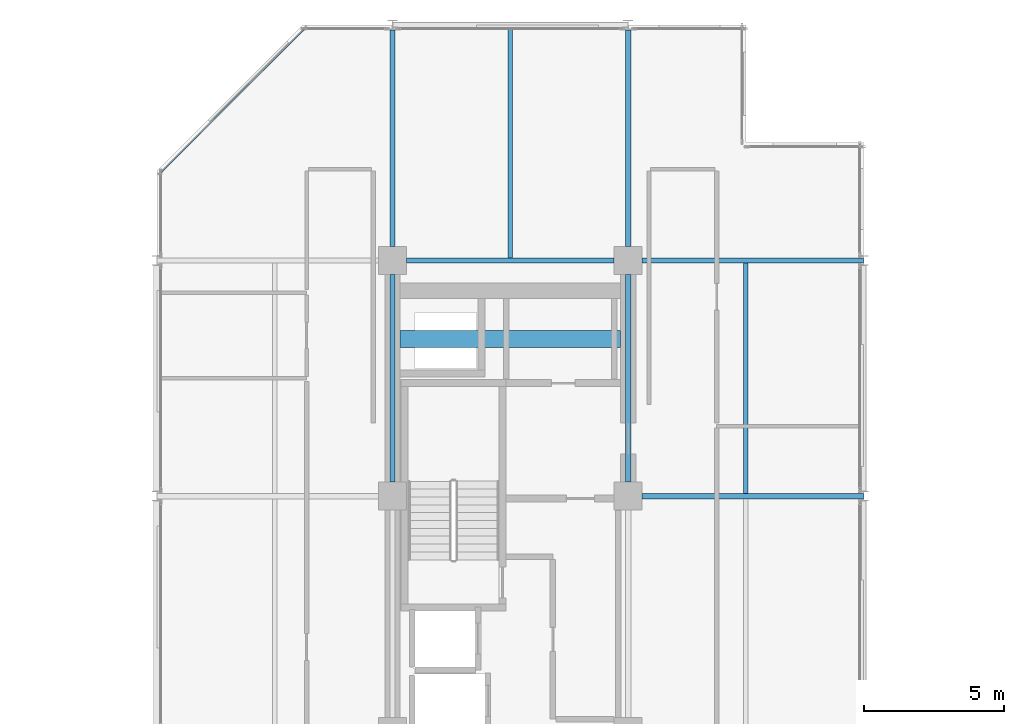
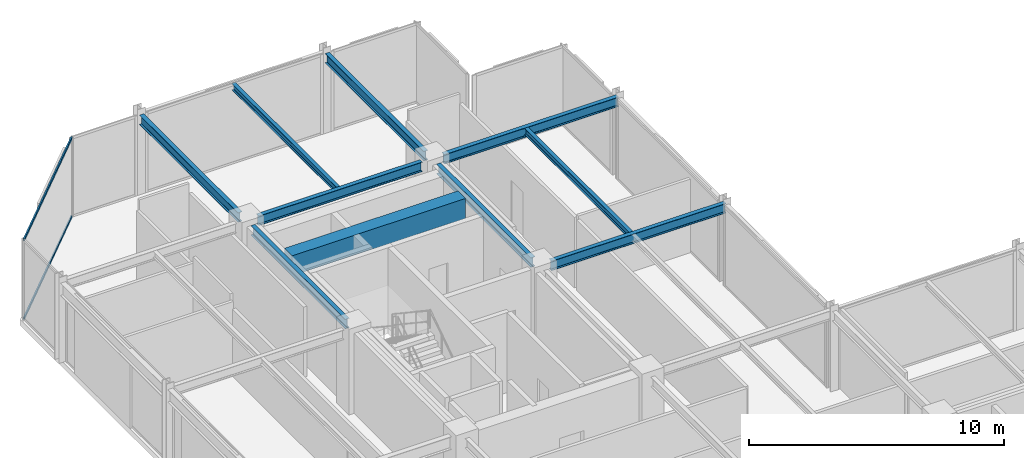
# One storey, part 18 of 29: 10 beams, 2 members, 1 element without a shape of its own.
"""IFC4 building model written with IfcOpenShell, lengths in metres."""

import ifcopenshell
import ifcopenshell.guid

model = None  # the IFC model being written
_history = None  # IfcOwnerHistory: only IFC2X3 demands one
_inside = {}  # id of a spatial element -> (the spatial element, [elements in it])
_under = {}  # id of a project, library or spatial element -> (it, [spatial elements below it])
_declared = {}  # id of a project -> (the project, [libraries it declares])
_typed = {}  # id of a type object -> (the type object, [elements of that type])
_made_of = {}  # id of a material, layer set ... -> (it, [elements and type objects made of it])


def new_model(schema):
    """Start an empty IFC model of exactly this schema.

    Asked for "IFC4X3", IfcOpenShell would pick the latest addendum, in which some entities
    have other attributes; the version numbers below select the first issue.
    IFC2X3 requires an IfcOwnerHistory on every rooted entity: one is made here for all.
    """
    global model, _history
    if schema == "IFC4X3":
        model = ifcopenshell.file(schema_version=(4, 3, 0, 0))
    else:
        model = ifcopenshell.file(schema=schema)
    _inside.clear()
    _under.clear()
    _declared.clear()
    _typed.clear()
    _made_of.clear()
    _history = None
    if model.schema == "IFC2X3":
        org = make("IfcOrganization", Name="unknown")
        user = make(
            "IfcPersonAndOrganization",
            ThePerson=make("IfcPerson", FamilyName="unknown"),
            TheOrganization=org,
        )
        app = make(
            "IfcApplication",
            ApplicationDeveloper=org,
            Version="unknown",
            ApplicationFullName="unknown",
            ApplicationIdentifier="unknown",
        )
        _history = make(
            "IfcOwnerHistory",
            OwningUser=user,
            OwningApplication=app,
            ChangeAction="ADDED",
            CreationDate=0,
        )
    return model


def make(cls, **values):
    """One entity of the class cls with the attributes given. An attribute that is None is left unset."""
    return model.create_entity(
        cls, **{name: value for name, value in values.items() if value is not None}
    )


def rooted(cls, **values):
    """An entity with a GlobalId (a new one), such as an element, a storey or a relation."""
    return make(cls, GlobalId=ifcopenshell.guid.new(), OwnerHistory=_history, **values)


def si_unit(unit_type, name, prefix=None):
    """IfcSIUnit, for example si_unit("LENGTHUNIT", "METRE", prefix="MILLI")."""
    return make("IfcSIUnit", UnitType=unit_type, Prefix=prefix, Name=name)


def assignment(units):
    """IfcUnitAssignment: the units of a project."""
    return None if units is None else make("IfcUnitAssignment", Units=units)


def point(xyz):
    """IfcCartesianPoint."""
    return None if xyz is None else make("IfcCartesianPoint", Coordinates=xyz)


def direction(xyz):
    """IfcDirection."""
    return None if xyz is None else make("IfcDirection", DirectionRatios=xyz)


def frame(location, z_axis=None, x_axis=None):
    """IfcAxis2Placement3D, a coordinate frame: its origin and axes. An axis left out is left unset."""
    return make(
        "IfcAxis2Placement3D",
        Location=point(location),
        Axis=direction(z_axis),
        RefDirection=direction(x_axis),
    )


def frame_2d(location, x_axis=None):
    """IfcAxis2Placement2D, a coordinate frame in the plane: its origin and x axis."""
    return make(
        "IfcAxis2Placement2D", Location=point(location), RefDirection=direction(x_axis)
    )


def origin():
    """The frame at (0, 0, 0) with its axes left unset."""
    return frame((0.0, 0.0, 0.0))


def origin_2d():
    """The frame at (0, 0) in the plane with its x axis left unset."""
    return frame_2d((0.0, 0.0))


def place(relative_to, where):
    """IfcLocalPlacement: puts the frame where relative to a parent placement (None: the world)."""
    return make(
        "IfcLocalPlacement", PlacementRelTo=relative_to, RelativePlacement=where
    )


def context(
    kind, dimensions, precision=None, world=None, true_north=None, identifier=None
):
    """IfcGeometricRepresentationContext, for example the 3D "Model" context."""
    return make(
        "IfcGeometricRepresentationContext",
        ContextIdentifier=identifier,
        ContextType=kind,
        CoordinateSpaceDimension=dimensions,
        Precision=precision,
        WorldCoordinateSystem=world,
        TrueNorth=true_north,
    )


def subcontext(parent, identifier, kind, view, scale=None):
    """IfcGeometricRepresentationSubContext, for example "Body" below "Model"."""
    return make(
        "IfcGeometricRepresentationSubContext",
        ContextIdentifier=identifier,
        ContextType=kind,
        ParentContext=parent,
        TargetScale=scale,
        TargetView=view,
    )


def project(units=None, contexts=None):
    """IfcProject with its units and contexts."""
    return rooted(
        "IfcProject",
        Name="project",
        RepresentationContexts=contexts,
        UnitsInContext=assignment(units),
    )


def spatial(cls, under=None, at=None, **own):
    """A site, building, storey or space (cls), placed at a placement, below another one or the project."""
    s = rooted(cls, ObjectPlacement=at, **own)
    if under is not None:
        _under.setdefault(under.id(), (under, []))[1].append(s)
    return s


def profile(cls, at=None, kind="AREA", **sizes):
    """A parametric profile (cls). Its sizes go by their IFC names, for example OverallWidth=200.0."""
    return make(cls, ProfileType=kind, Position=at, **sizes)


def rectangle(**sizes):
    """IfcRectangleProfileDef."""
    return profile("IfcRectangleProfileDef", **sizes)


def hollow_rectangle(**sizes):
    """IfcRectangleHollowProfileDef."""
    return profile("IfcRectangleHollowProfileDef", **sizes)


def i_section(**sizes):
    """IfcIShapeProfileDef."""
    return profile("IfcIShapeProfileDef", **sizes)


def extrude(swept, where, along, depth):
    """IfcExtrudedAreaSolid: the profile swept, set in the frame where, extruded along a direction by depth."""
    return make(
        "IfcExtrudedAreaSolid",
        SweptArea=swept,
        Position=where,
        ExtrudedDirection=direction(along),
        Depth=depth,
    )


def shape(context_of_items, identifier, shape_type, items):
    """IfcShapeRepresentation: the items that make up one representation, for example the "Body"."""
    return make(
        "IfcShapeRepresentation",
        ContextOfItems=context_of_items,
        RepresentationIdentifier=identifier,
        RepresentationType=shape_type,
        Items=items,
    )


def material(Name=None, Category=None):
    """IfcMaterial."""
    return make("IfcMaterial", Name=Name, Category=Category)


def layer(
    of_material, thickness, ventilated=None, Name=None, Category=None, Priority=None
):
    """IfcMaterialLayer: one layer of a wall or slab, of a material (None: an air gap)."""
    return make(
        "IfcMaterialLayer",
        Material=of_material,
        LayerThickness=thickness,
        IsVentilated=ventilated,
        Name=Name,
        Category=Category,
        Priority=Priority,
    )


def layer_set(layers, Name=None):
    """IfcMaterialLayerSet."""
    return make("IfcMaterialLayerSet", MaterialLayers=layers, LayerSetName=Name)


def material_profile(
    of_material, cross_section, Name=None, Category=None, Priority=None
):
    """IfcMaterialProfile: a cross section and its material."""
    return make(
        "IfcMaterialProfile",
        Name=Name,
        Material=of_material,
        Profile=cross_section,
        Priority=Priority,
        Category=Category,
    )


def profile_set(profiles, Name=None, composite=None):
    """IfcMaterialProfileSet."""
    return make(
        "IfcMaterialProfileSet",
        Name=Name,
        MaterialProfiles=profiles,
        CompositeProfile=composite,
    )


def made_of(thing, what):
    """Note that an element or type object is made of a material, layer set ...; save() writes the relation."""
    if what is not None:
        _made_of.setdefault(what.id(), (what, []))[1].append(thing)
    return thing


def type_object(cls, material=None, **own):
    """A type object (cls), such as IfcWallType, which elements share."""
    return made_of(rooted(cls, **own), material)


def element(
    cls,
    number,
    at=None,
    inside=None,
    cuts=None,
    type_object=None,
    material=None,
    context=None,
    identifier="Body",
    shape_type=None,
    held_by="IfcProductDefinitionShape",
    body=None,
    shapes=None,
    **own,
):
    """One element of the class cls, such as IfcWall. Its Tag is "e" and its number.

    at: its placement. inside: the storey or other place that contains it. cuts: it is an
    opening in that element (IfcRelVoidsElement). A single representation is given by context,
    identifier, shape_type and body (its items); several are given by shapes. held_by: the class
    of the entity that holds the representations. save() writes the other relations.
    """
    e = rooted(cls, Tag="e%d" % number, ObjectPlacement=at, **own)
    if body is not None:
        shapes = [shape(context, identifier, shape_type, body)]
    if shapes is not None:
        e.Representation = make(held_by, Representations=shapes)
    if inside is not None:
        _inside.setdefault(inside.id(), (inside, []))[1].append(e)
    if cuts is not None:
        rooted(
            "IfcRelVoidsElement", RelatingBuildingElement=cuts, RelatedOpeningElement=e
        )
    if type_object is not None:
        _typed.setdefault(type_object.id(), (type_object, []))[1].append(e)
    return made_of(e, material)


def aggregate(whole, parts):
    """IfcRelAggregates: a whole, such as a stair, and the parts it consists of."""
    return rooted("IfcRelAggregates", RelatingObject=whole, RelatedObjects=parts)


def save(model, path):
    """Write the relations noted so far, then the file.

    IfcRelAggregates (storeys below a building ...), IfcRelContainedInSpatialStructure (elements
    in a storey), IfcRelDefinesByType, IfcRelAssociatesMaterial and IfcRelDeclares: one each for
    every whole, place, type object, material and project.
    """
    for whole, parts in _under.values():
        aggregate(whole, parts)
    for where, things in _inside.values():
        rooted(
            "IfcRelContainedInSpatialStructure",
            RelatedElements=things,
            RelatingStructure=where,
        )
    for kind, things in _typed.values():
        rooted("IfcRelDefinesByType", RelatedObjects=things, RelatingType=kind)
    for what, things in _made_of.values():
        rooted("IfcRelAssociatesMaterial", RelatedObjects=things, RelatingMaterial=what)
    for by, libraries in _declared.values():
        rooted("IfcRelDeclares", RelatingContext=by, RelatedDefinitions=libraries)
    model.write(path)


model = new_model("IFC4")

# Units and contexts
model_context = context("Model", 3, precision=1e-05, world=origin(), true_north=direction((0.0, 1.0)))
body_context = subcontext(model_context, "Body", "Model", "MODEL_VIEW")
ifc_project = project(units=[si_unit("LENGTHUNIT", "METRE"), si_unit("AREAUNIT", "SQUARE_METRE"), si_unit("VOLUMEUNIT", "CUBIC_METRE"), si_unit("PLANEANGLEUNIT", "RADIAN"), si_unit("MASSUNIT", "GRAM", prefix="KILO")], contexts=[model_context])

# Site, building, storey
site_placement = place(None, origin())
site = spatial("IfcSite", under=ifc_project, at=site_placement, CompositionType="ELEMENT")
building_placement = place(site_placement, origin())
building = spatial("IfcBuilding", under=site, at=building_placement, Name="Nerrivon Quay Data Exchange", CompositionType="ELEMENT")
storey_placement = place(building_placement, frame((0.0, 0.0, 200.10009765625)))
storey = spatial("IfcBuildingStorey", under=building, at=storey_placement, Name="L47", CompositionType="ELEMENT", Elevation=200.10009765625)

# Beams
ifc_material_1 = material(Name="Concrete N50 (50 MPa)", Category="concrete")
ifc_material_profile_1 = material_profile(ifc_material_1, rectangle(XDim=0.60009765625, YDim=0.949951171875, at=origin_2d()), Name="RC-CB-600x950")
ifc_profile_set_1 = profile_set([ifc_material_profile_1], Name="Concrete N50 (50 MPa)")
beam_type_1 = type_object("IfcBeamType", Name="BM-CB2-600x950", PredefinedType="LINTEL", material=ifc_profile_set_1)
beam_1_placement = place(storey_placement, frame((8.675048828125, 39.199951171875, 3.349853515625), z_axis=(1.0, 0.0, 0.0), x_axis=(0.0, 1.0, 0.0)))
element("IfcBeam", 1, at=beam_1_placement, inside=storey, type_object=beam_type_1, Name="L47 West Core Coupling Beam", PredefinedType="LINTEL", context=body_context, shape_type="SweptSolid", body=[
    extrude(rectangle(XDim=0.60009765625, YDim=0.949951171875, at=origin_2d()), origin(), (0.0, 0.0, 1.0), 7.849853515625),
])
ifc_material_2 = material(Name="Steel Grade 350", Category="steel")
ifc_material_profile_2 = material_profile(ifc_material_2, i_section(OverallWidth=0.19091796875, OverallDepth=0.4599609375, WebThickness=0.010009765625, FlangeThickness=0.01611328125, FilletRadius=0.011474609375, at=origin_2d()), Name="460UB82.1")
ifc_profile_set_2 = profile_set([ifc_material_profile_2], Name="Steel Grade 350")
beam_type_2 = type_object("IfcBeamType", Name="BM-G5-460UB82", PredefinedType="BEAM", material=ifc_profile_set_2)
beam_2_placement = place(storey_placement, frame((17.300048828125, 33.60009765625, 3.594970703125), z_axis=(1.0, 0.0, 0.0), x_axis=(0.0, 1.0, 0.0)))
element("IfcBeam", 2, at=beam_2_placement, inside=storey, type_object=beam_type_2, Name="L47 EW Girder Y=33.6 (16.8..25.2)", PredefinedType="BEAM", context=body_context, shape_type="SweptSolid", body=[
    extrude(i_section(OverallWidth=0.19091796875, OverallDepth=0.4599609375, WebThickness=0.010009765625, FlangeThickness=0.01611328125, FilletRadius=0.011474609375, at=origin_2d()), origin(), (0.0, 0.0, 1.0), 7.889892578125),
])
beam_3_placement = place(storey_placement, frame((8.89990234375, 42.0, 3.594970703125), z_axis=(1.0, 0.0, 0.0), x_axis=(0.0, 1.0, 0.0)))
element("IfcBeam", 3, at=beam_3_placement, inside=storey, type_object=beam_type_2, Name="L47 EW Girder Y=42.0 (8.4..16.8)", PredefinedType="BEAM", context=body_context, shape_type="SweptSolid", body=[
    extrude(i_section(OverallWidth=0.19091796875, OverallDepth=0.4599609375, WebThickness=0.010009765625, FlangeThickness=0.01611328125, FilletRadius=0.011474609375, at=origin_2d()), origin(), (0.0, 0.0, 1.0), 7.400146484375),
])
beam_4_placement = place(storey_placement, frame((17.300048828125, 42.0, 3.594970703125), z_axis=(1.0, 0.0, 0.0), x_axis=(0.0, 1.0, 0.0)))
element("IfcBeam", 4, at=beam_4_placement, inside=storey, type_object=beam_type_2, Name="L47 EW Girder Y=42.0 (16.8..25.2)", PredefinedType="BEAM", context=body_context, shape_type="SweptSolid", body=[
    extrude(i_section(OverallWidth=0.19091796875, OverallDepth=0.4599609375, WebThickness=0.010009765625, FlangeThickness=0.01611328125, FilletRadius=0.011474609375, at=origin_2d()), origin(), (0.0, 0.0, 1.0), 7.889892578125),
])
ifc_material_profile_3 = material_profile(ifc_material_2, i_section(OverallWidth=0.18994140625, OverallDepth=0.4541015625, WebThickness=0.008544921875, FlangeThickness=0.0126953125, FilletRadius=0.011474609375, at=origin_2d()), Name="460UB67.1")
ifc_profile_set_3 = profile_set([ifc_material_profile_3], Name="Steel Grade 350")
beam_type_3 = type_object("IfcBeamType", Name="BM-G6-460UB67", PredefinedType="BEAM", material=ifc_profile_set_3)
beam_5_placement = place(storey_placement, frame((8.39990234375, 34.10009765625, 3.597900390625), z_axis=(0.0, 1.0, 0.0), x_axis=(-1.0, 0.0, 0.0)))
element("IfcBeam", 5, at=beam_5_placement, inside=storey, type_object=beam_type_3, Name="L47 NS Girder X=8.4 (33.6..42.0)", PredefinedType="BEAM", context=body_context, shape_type="SweptSolid", body=[
    extrude(i_section(OverallWidth=0.18994140625, OverallDepth=0.4541015625, WebThickness=0.008544921875, FlangeThickness=0.0126953125, FilletRadius=0.011474609375, at=origin_2d()), origin(), (0.0, 0.0, 1.0), 7.39990234375),
])
beam_6_placement = place(storey_placement, frame((8.39990234375, 42.5, 3.597900390625), z_axis=(0.0, 1.0, 0.0), x_axis=(-1.0, 0.0, 0.0)))
element("IfcBeam", 6, at=beam_6_placement, inside=storey, type_object=beam_type_3, Name="L47 NS Girder X=8.4 (42.0..50.4)", PredefinedType="BEAM", context=body_context, shape_type="SweptSolid", body=[
    extrude(i_section(OverallWidth=0.18994140625, OverallDepth=0.4541015625, WebThickness=0.008544921875, FlangeThickness=0.0126953125, FilletRadius=0.011474609375, at=origin_2d()), origin(), (0.0, 0.0, 1.0), 7.72509765625),
])
beam_7_placement = place(storey_placement, frame((16.800048828125, 34.10009765625, 3.597900390625), z_axis=(0.0, 1.0, 0.0), x_axis=(-1.0, 0.0, 0.0)))
element("IfcBeam", 7, at=beam_7_placement, inside=storey, type_object=beam_type_3, Name="L47 NS Girder X=16.8 (33.6..42.0)", PredefinedType="BEAM", context=body_context, shape_type="SweptSolid", body=[
    extrude(i_section(OverallWidth=0.18994140625, OverallDepth=0.4541015625, WebThickness=0.008544921875, FlangeThickness=0.0126953125, FilletRadius=0.011474609375, at=origin_2d()), origin(), (0.0, 0.0, 1.0), 7.39990234375),
])
beam_8_placement = place(storey_placement, frame((16.800048828125, 42.5, 3.597900390625), z_axis=(0.0, 1.0, 0.0), x_axis=(-1.0, 0.0, 0.0)))
element("IfcBeam", 8, at=beam_8_placement, inside=storey, type_object=beam_type_3, Name="L47 NS Girder X=16.8 (42.0..50.4)", PredefinedType="BEAM", context=body_context, shape_type="SweptSolid", body=[
    extrude(i_section(OverallWidth=0.18994140625, OverallDepth=0.4541015625, WebThickness=0.008544921875, FlangeThickness=0.0126953125, FilletRadius=0.011474609375, at=origin_2d()), origin(), (0.0, 0.0, 1.0), 7.72509765625),
])
ifc_material_profile_4 = material_profile(ifc_material_2, i_section(OverallWidth=0.166015625, OverallDepth=0.306884765625, WebThickness=0.006591796875, FlangeThickness=0.01171875, FilletRadius=0.011474609375, at=origin_2d()), Name="310UB46.2")
ifc_profile_set_4 = profile_set([ifc_material_profile_4], Name="Steel Grade 350")
beam_type_4 = type_object("IfcBeamType", Name="BM-J5-310UB46", PredefinedType="JOIST", material=ifc_profile_set_4)
beam_9_placement = place(storey_placement, frame((12.60009765625, 42.095458984375, 3.67138671875), z_axis=(0.0, 1.0, 0.0), x_axis=(-1.0, 0.0, 0.0)))
element("IfcBeam", 9, at=beam_9_placement, inside=storey, type_object=beam_type_4, Name="L47 Secondary Joist X=12.6 (42.0..50.4)", PredefinedType="JOIST", context=body_context, shape_type="SweptSolid", body=[
    extrude(i_section(OverallWidth=0.166015625, OverallDepth=0.306884765625, WebThickness=0.006591796875, FlangeThickness=0.01171875, FilletRadius=0.011474609375, at=origin_2d()), origin(), (0.0, 0.0, 1.0), 8.20458984375),
])
beam_10_placement = place(storey_placement, frame((21.0, 33.695556640625, 3.67138671875), z_axis=(0.0, 1.0, 0.0), x_axis=(-1.0, 0.0, 0.0)))
element("IfcBeam", 10, at=beam_10_placement, inside=storey, type_object=beam_type_4, Name="L47 Secondary Joist X=21.0 (33.6..42.0)", PredefinedType="JOIST", context=body_context, shape_type="SweptSolid", body=[
    extrude(i_section(OverallWidth=0.166015625, OverallDepth=0.306884765625, WebThickness=0.006591796875, FlangeThickness=0.01171875, FilletRadius=0.011474609375, at=origin_2d()), origin(), (0.0, 0.0, 1.0), 8.208984375),
])

# Curtain wall, members
ifc_material_3 = material(Name="Anodised aluminium 6063-T6", Category="aluminium")
ifc_layer = layer(ifc_material_3, 0.195068359375)
ifc_layer_set = layer_set([ifc_layer], Name="Anodised aluminium 6063-T6")
curtain_wall_type = type_object("IfcCurtainWallType", Name="CW-SYS-06", PredefinedType="NOTDEFINED", material=ifc_layer_set)
curtain_wall_placement = place(storey_placement, origin())
curtain_wall = element("IfcCurtainWall", 11, at=curtain_wall_placement, inside=storey, type_object=curtain_wall_type, Name="L47 Unitised Curtain Wall 7", PredefinedType="NOTDEFINED")
ifc_material_profile_5 = material_profile(ifc_material_3, hollow_rectangle(XDim=0.06005859375, YDim=0.1201171875, WallThickness=0.003173828125, at=origin_2d()), Name="ALU-TRAN-120x60")
ifc_profile_set_5 = profile_set([ifc_material_profile_5], Name="Anodised aluminium 6063-T6")
member_type = type_object("IfcMemberType", Name="CWT-120x60", PredefinedType="USERDEFINED", material=ifc_profile_set_5)
member_1_placement = place(storey_placement, frame((0.152099609375, 45.154052734375, 0.032470703125), z_axis=(0.707089835771, 0.707123726196, 0.0), x_axis=(-0.707123726196, 0.707089835771, 0.0)))
member_1 = element("IfcMember", 12, at=member_1_placement, type_object=member_type, Name="CW06 transom 1.1", ObjectType="TRANSOM", PredefinedType="USERDEFINED", context=body_context, shape_type="SweptSolid", body=[
    extrude(hollow_rectangle(XDim=0.06005859375, YDim=0.1201171875, WallThickness=0.003173828125, at=origin_2d()), origin(), (0.0, 0.0, 1.0), 7.203857421875),
])
member_2_placement = place(storey_placement, frame((0.152099609375, 45.154052734375, 3.79248046875), z_axis=(0.707089835771, 0.707123726196, 0.0), x_axis=(-0.707123726196, 0.707089835771, 0.0)))
member_2 = element("IfcMember", 13, at=member_2_placement, type_object=member_type, Name="CW06 transom 1.2", ObjectType="TRANSOM", PredefinedType="USERDEFINED", context=body_context, shape_type="SweptSolid", body=[
    extrude(hollow_rectangle(XDim=0.06005859375, YDim=0.1201171875, WallThickness=0.003173828125, at=origin_2d()), origin(), (0.0, 0.0, 1.0), 7.203857421875),
])
aggregate(curtain_wall, [member_1, member_2])

save(model, "model.ifc")
